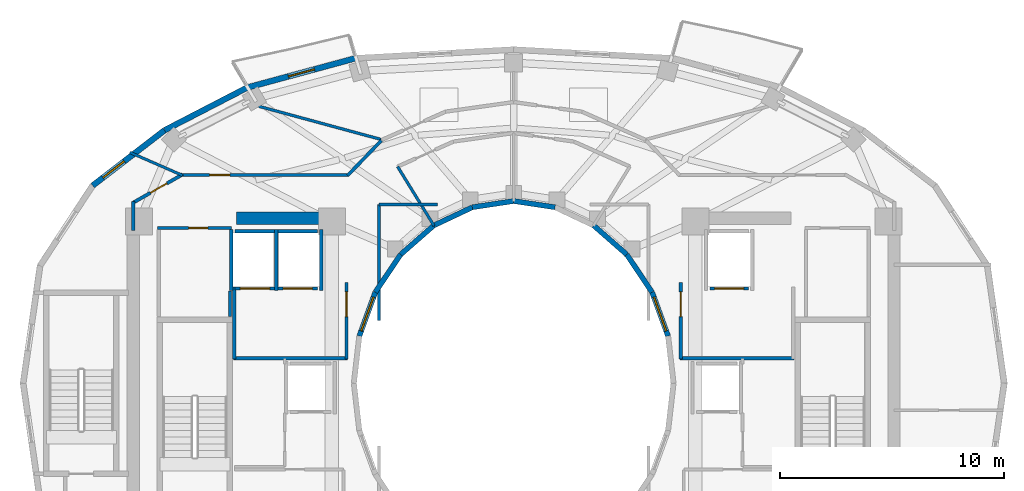
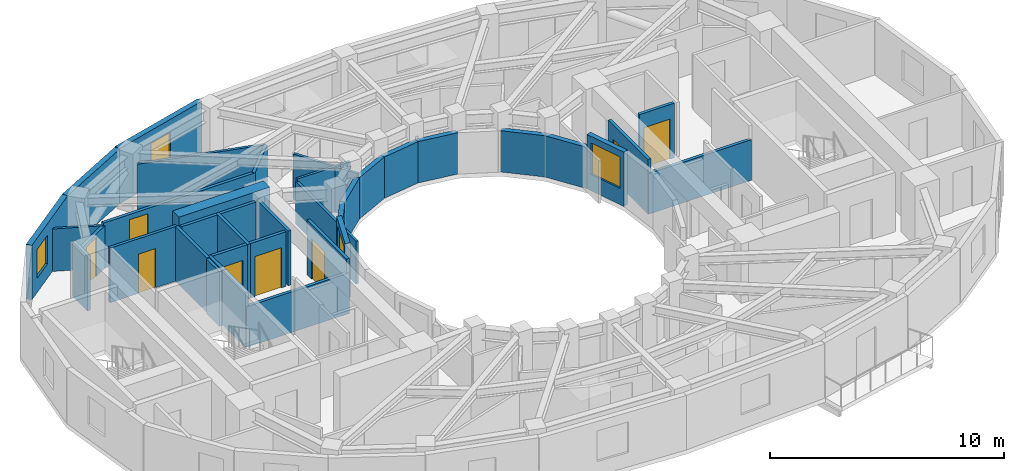
# One storey, part 5 of 10: 37 walls, 9 doors, 3 windows, 12 openings.
"""IFC4 building model written with IfcOpenShell, lengths in metres."""

from ifc_helpers import new_model, si_unit, direction, frame, frame_2d, origin, place, context, subcontext, project, spatial, rectangle, extrude, material, layer, layer_set, type_object, element, fill, save


model = new_model("IFC4")

# Units and contexts
model_context = context("Model", 3, precision=1e-05, world=origin(), true_north=direction((0.0, 1.0)))
body_context = subcontext(model_context, "Body", "Model", "MODEL_VIEW")
ifc_project = project(units=[si_unit("LENGTHUNIT", "METRE"), si_unit("AREAUNIT", "SQUARE_METRE"), si_unit("VOLUMEUNIT", "CUBIC_METRE"), si_unit("PLANEANGLEUNIT", "RADIAN"), si_unit("MASSUNIT", "GRAM", prefix="KILO")], contexts=[model_context])

# Site, building, storey
site_placement = place(None, origin())
site = spatial("IfcSite", under=ifc_project, at=site_placement, CompositionType="ELEMENT")
building_placement = place(site_placement, origin())
building = spatial("IfcBuilding", under=site, at=building_placement, Name="Solvane Sanctuary Tower", CompositionType="ELEMENT")
storey_placement = place(building_placement, frame((0.0, 0.0, 204.699951171875)))
storey = spatial("IfcBuildingStorey", under=building, at=storey_placement, Name="L62", CompositionType="ELEMENT", Elevation=204.699951171875)

# Walls
ifc_material_1 = material(Name="Concrete C50/60", Category="concrete")
ifc_layer_1 = layer(ifc_material_1, 0.550048828125, Name="Concrete C50/60")
ifc_layer_set_1 = layer_set([ifc_layer_1], Name="Concrete C50/60")
wall_type_1 = type_object("IfcWallType", Name="Wall W-CORE-550", PredefinedType="SHEAR", material=ifc_layer_set_1)
wall_1_placement = place(storey_placement, frame((19.64990234375, 30.35009765625, 0.0), z_axis=(0.0, 0.0, 1.0), x_axis=(1.0, 0.0, 0.0)))
element("IfcWall", 1, at=wall_1_placement, inside=storey, type_object=wall_type_1, Name="L62 Core Shear Wall WC-N", PredefinedType="SHEAR", context=body_context, shape_type="SweptSolid", body=[
    extrude(rectangle(XDim=4.5, YDim=0.550048828125, at=frame_2d((2.25, 0.0))), origin(), (0.0, 0.0, 1.0), 3.10009765625),
])
ifc_material_2 = material(Name="Acoustic Gypsum Partition Board")
ifc_layer_2 = layer(ifc_material_2, 0.14990234375, Name="Acoustic Gypsum Partition Board")
ifc_layer_set_2 = layer_set([ifc_layer_2], Name="Acoustic Gypsum Partition Board")
wall_type_2 = type_object("IfcWallType", Name="Wall W-CORR-150", PredefinedType="PARTITIONING", material=ifc_layer_set_2)
wall_2_placement = place(storey_placement, frame((19.52001953125, 24.1201171875, 0.0), z_axis=(0.0, 0.0, 1.0), x_axis=(1.0, 0.0, 0.0)))
element("IfcWall", 2, at=wall_2_placement, inside=storey, type_object=wall_type_2, Name="L62 West Firefighting Lobby South Wall", PredefinedType="PARTITIONING", context=body_context, shape_type="SweptSolid", body=[
    extrude(rectangle(XDim=5.080078125, YDim=0.14990234375, at=frame_2d((2.5400390625, 0.0))), origin(), (0.0, 0.0, 1.0), 2.1201171875),
])
wall_3_placement = place(storey_placement, frame((19.550048828125, 24.080078125, 0.0), z_axis=(0.0, 0.0, 1.0), x_axis=(0.0, 1.0, 0.0)))
element("IfcWall", 3, at=wall_3_placement, inside=storey, type_object=wall_type_2, Name="L62 West Firefighting Lobby West Wall", PredefinedType="PARTITIONING", context=body_context, shape_type="SweptSolid", body=[
    extrude(rectangle(XDim=3.199951171875, YDim=0.14990234375, at=frame_2d((1.60009765625, 0.0))), origin(), (0.0, 0.0, 1.0), 2.85498046875),
])

# Wall, opening, door
wall_4_placement = place(storey_placement, frame((24.550048828125, 24.080078125, 0.0), z_axis=(0.0, 0.0, 1.0), x_axis=(0.0, 1.0, 0.0)))
wall_4 = element("IfcWall", 4, at=wall_4_placement, inside=storey, type_object=wall_type_2, Name="L62 West Firefighting Lobby East Wall", PredefinedType="PARTITIONING", context=body_context, shape_type="SweptSolid", body=[
    extrude(rectangle(XDim=3.39990234375, YDim=0.14990234375, at=frame_2d((1.699951171875, 0.0))), origin(), (0.0, 0.0, 1.0), 2.85498046875),
])
opening_1_placement = place(wall_4_placement, frame((1.893798828125, 0.0, 0.0)))
opening_1 = element("IfcOpeningElement", 5, at=opening_1_placement, cuts=wall_4, Name="Opening D-L62-08", PredefinedType="OPENING", context=body_context, shape_type="SweptSolid", body=[
    extrude(rectangle(XDim=1.10009765625, YDim=2.10009765625, at=frame_2d((0.550048828125, 1.050048828125))), frame((0.0, 0.0849609375, 0.0), z_axis=(0.0, -1.0, 0.0), x_axis=(1.0, 0.0, 0.0)), (0.0, 0.0, 1.0), 0.169921875),
])
ifc_material_3 = material(Name="Architectural Stainless Steel 316", Category="steel")
door_type_1 = type_object("IfcDoorType", Name="Door D-FFL", OperationType="NOTDEFINED", PredefinedType="DOOR", material=ifc_material_3)
door_1_placement = place(opening_1_placement, origin())
door_1 = element("IfcDoor", 6, at=door_1_placement, inside=storey, type_object=door_type_1, Name="L62 West Firefighting Lobby Fire Door", OperationType="SINGLE_SWING_LEFT", OverallHeight=2.10009765625, OverallWidth=1.10009765625, PredefinedType="DOOR", context=body_context, shape_type="SweptSolid", body=[
    extrude(rectangle(XDim=1.10009765625, YDim=2.10009765625, at=frame_2d((0.550048828125, 1.050048828125))), frame((0.0, 0.02490234375, 0.0), z_axis=(0.0, -1.0, 0.0), x_axis=(1.0, 0.0, 0.0)), (0.0, 0.0, 1.0), 0.050048828125),
])
fill(opening_1, door_1)

# Wall
wall_5_placement = place(storey_placement, frame((39.39990234375, 24.1201171875, 0.0), z_axis=(0.0, 0.0, 1.0), x_axis=(1.0, 0.0, 0.0)))
element("IfcWall", 7, at=wall_5_placement, inside=storey, type_object=wall_type_2, Name="L62 East Firefighting Lobby South Wall", PredefinedType="PARTITIONING", context=body_context, shape_type="SweptSolid", body=[
    extrude(rectangle(XDim=5.080078125, YDim=0.14990234375, at=frame_2d((2.5400390625, 0.0))), origin(), (0.0, 0.0, 1.0), 2.1201171875),
])

# Wall, opening, door
wall_6_placement = place(storey_placement, frame((39.449951171875, 24.080078125, 0.0), z_axis=(0.0, 0.0, 1.0), x_axis=(0.0, 1.0, 0.0)))
wall_6 = element("IfcWall", 8, at=wall_6_placement, inside=storey, type_object=wall_type_2, Name="L62 East Firefighting Lobby West Wall", PredefinedType="PARTITIONING", context=body_context, shape_type="SweptSolid", body=[
    extrude(rectangle(XDim=3.39990234375, YDim=0.14990234375, at=frame_2d((1.699951171875, 0.0))), origin(), (0.0, 0.0, 1.0), 2.85498046875),
])
opening_2_placement = place(wall_6_placement, frame((1.893798828125, 0.0, 0.0)))
opening_2 = element("IfcOpeningElement", 9, at=opening_2_placement, cuts=wall_6, Name="Opening D-L62-09", PredefinedType="OPENING", context=body_context, shape_type="SweptSolid", body=[
    extrude(rectangle(XDim=1.10009765625, YDim=2.10009765625, at=frame_2d((0.550048828125, 1.050048828125))), frame((0.0, 0.0849609375, 0.0), z_axis=(0.0, -1.0, 0.0), x_axis=(1.0, 0.0, 0.0)), (0.0, 0.0, 1.0), 0.169921875),
])
door_2_placement = place(opening_2_placement, origin())
door_2 = element("IfcDoor", 10, at=door_2_placement, inside=storey, type_object=door_type_1, Name="L62 East Firefighting Lobby Fire Door", OperationType="SINGLE_SWING_RIGHT", OverallHeight=2.10009765625, OverallWidth=1.10009765625, PredefinedType="DOOR", context=body_context, shape_type="SweptSolid", body=[
    extrude(rectangle(XDim=1.10009765625, YDim=2.10009765625, at=frame_2d((0.550048828125, 1.050048828125))), frame((0.0, 0.02490234375, 0.0), z_axis=(0.0, -1.0, 0.0), x_axis=(1.0, 0.0, 0.0)), (0.0, 0.0, 1.0), 0.050048828125),
])
fill(opening_2, door_2)

# Walls
wall_7_placement = place(storey_placement, frame((15.050048828125, 29.800048828125, 0.0), z_axis=(0.0, 0.0, 1.0), x_axis=(0.0, 1.0, 0.0)))
element("IfcWall", 11, at=wall_7_placement, inside=storey, type_object=wall_type_2, Name="L62 NW Corner Closer 2", PredefinedType="PARTITIONING", context=body_context, shape_type="SweptSolid", body=[
    extrude(rectangle(XDim=1.2900390625, YDim=0.14990234375, at=frame_2d((0.64501953125, 0.0))), origin(), (0.0, 0.0, 1.0), 2.85498046875),
])
wall_8_placement = place(storey_placement, frame((26.0966796875, 33.811767578125, 0.0), z_axis=(0.0, 0.0, 1.0), x_axis=(-0.694032962553, -0.719943224768, 0.0)))
element("IfcWall", 12, at=wall_8_placement, inside=storey, type_object=wall_type_2, Name="L62 NW Corner Throat Wall", PredefinedType="PARTITIONING", context=body_context, shape_type="SweptSolid", body=[
    extrude(rectangle(XDim=2.15771484375, YDim=0.14990234375, at=frame_2d((1.078857421875, 0.0))), origin(), (0.0, 0.0, 1.0), 2.3759765625),
])

# Wall, opening, door
wall_9_placement = place(storey_placement, frame((17.14990234375, 32.280029296875, 0.0), z_axis=(0.0, 0.0, 1.0), x_axis=(1.0, 0.0, 0.0)))
wall_9 = element("IfcWall", 13, at=wall_9_placement, inside=storey, type_object=wall_type_2, Name="L62 NW Corner Corridor Wall", PredefinedType="PARTITIONING", context=body_context, shape_type="SweptSolid", body=[
    extrude(rectangle(XDim=7.52001953125, YDim=0.14990234375, at=frame_2d((3.760009765625, 0.0))), origin(), (0.0, 0.0, 1.0), 2.3759765625),
])
opening_3_placement = place(wall_9_placement, frame((1.300048828125, 0.0, 0.0)))
opening_3 = element("IfcOpeningElement", 14, at=opening_3_placement, cuts=wall_9, Name="Opening D-L62-23", PredefinedType="OPENING", context=body_context, shape_type="SweptSolid", body=[
    extrude(rectangle(XDim=0.89990234375, YDim=2.10009765625, at=frame_2d((0.449951171875, 1.050048828125))), frame((0.0, 0.0849609375, 0.0), z_axis=(0.0, -1.0, 0.0), x_axis=(1.0, 0.0, 0.0)), (0.0, 0.0, 1.0), 0.169921875),
])
ifc_material_4 = material(Name="Engineered Tropical Hardwood", Category="wood")
door_type_2 = type_object("IfcDoorType", Name="Door D-WET-900", OperationType="NOTDEFINED", PredefinedType="DOOR", material=ifc_material_4)
door_3_placement = place(opening_3_placement, origin())
door_3 = element("IfcDoor", 15, at=door_3_placement, inside=storey, type_object=door_type_2, Name="L62 NW Corner Salon Door", OperationType="SINGLE_SWING_RIGHT", OverallHeight=2.10009765625, OverallWidth=0.89990234375, PredefinedType="DOOR", context=body_context, shape_type="SweptSolid", body=[
    extrude(rectangle(XDim=0.89990234375, YDim=2.10009765625, at=frame_2d((0.449951171875, 1.050048828125))), frame((0.0, 0.02490234375, 0.0), z_axis=(0.0, -1.0, 0.0), x_axis=(1.0, 0.0, 0.0)), (0.0, 0.0, 1.0), 0.050048828125),
])
fill(opening_3, door_3)

wall_10_placement = place(storey_placement, frame((17.243408203125, 32.3046875, 0.0), z_axis=(0.0, 0.0, 1.0), x_axis=(-0.867991349648, -0.496579315857, 0.0)))
wall_10 = element("IfcWall", 16, at=wall_10_placement, inside=storey, type_object=wall_type_2, Name="L62 NW Corner Wing Wall", PredefinedType="PARTITIONING", context=body_context, shape_type="SweptSolid", body=[
    extrude(rectangle(XDim=2.56689453125, YDim=0.14990234375, at=frame_2d((1.283447265625, 0.0))), origin(), (0.0, 0.0, 1.0), 2.219970703125),
])
opening_4_placement = place(wall_10_placement, frame((0.8017578125, 0.0, 0.0)))
opening_4 = element("IfcOpeningElement", 17, at=opening_4_placement, cuts=wall_10, Name="Opening D-L62-24", PredefinedType="OPENING", context=body_context, shape_type="SweptSolid", body=[
    extrude(rectangle(XDim=0.85009765625, YDim=2.050048828125, at=frame_2d((0.425048828125, 1.02490234375))), frame((0.0, 0.0849609375, 0.0), z_axis=(0.0, -1.0, 0.0), x_axis=(1.0, 0.0, 0.0)), (0.0, 0.0, 1.0), 0.169921875),
])
door_type_3 = type_object("IfcDoorType", Name="Door D-RISER", OperationType="NOTDEFINED", PredefinedType="DOOR", material=ifc_material_3)
door_4_placement = place(opening_4_placement, origin())
door_4 = element("IfcDoor", 18, at=door_4_placement, inside=storey, type_object=door_type_3, Name="L62 NW Corner Suite Door", OperationType="SINGLE_SWING_LEFT", OverallHeight=2.050048828125, OverallWidth=0.85009765625, PredefinedType="DOOR", context=body_context, shape_type="SweptSolid", body=[
    extrude(rectangle(XDim=0.85009765625, YDim=2.050048828125, at=frame_2d((0.425048828125, 1.02490234375))), frame((0.0, 0.02490234375, 0.0), z_axis=(0.0, -1.0, 0.0), x_axis=(1.0, 0.0, 0.0)), (0.0, 0.0, 1.0), 0.050048828125),
])
fill(opening_4, door_4)

ifc_material_5 = material(Name="Precast concrete C40/50", Category="concrete")
ifc_layer_3 = layer(ifc_material_5, 0.260009765625, Name="Precast concrete C40/50")
ifc_layer_set_3 = layer_set([ifc_layer_3], Name="Precast concrete C40/50")
wall_type_3 = type_object("IfcWallType", Name="Wall W-EXT-250", PredefinedType="STANDARD", material=ifc_layer_set_3)
wall_11_placement = place(storey_placement, frame((24.95703125, 37.484619140625, 0.0), z_axis=(0.0, 0.0, 1.0), x_axis=(-0.965213026382, -0.261464746576, 0.0)))
wall_11 = element("IfcWall", 19, at=wall_11_placement, inside=storey, type_object=wall_type_3, Name="L62 Balcony Facade Wall N2", PredefinedType="STANDARD", context=body_context, shape_type="SweptSolid", body=[
    extrude(rectangle(XDim=5.001220703125, YDim=0.260009765625, at=frame_2d((2.50048828125, 0.0))), origin(), (0.0, 0.0, 1.0), 2.880126953125),
])
opening_5_placement = place(wall_11_placement, frame((1.900390625, 0.0, 0.0)))
opening_5 = element("IfcOpeningElement", 20, at=opening_5_placement, cuts=wall_11, Name="Opening D-L62-02", PredefinedType="OPENING", context=body_context, shape_type="SweptSolid", body=[
    extrude(rectangle(XDim=1.199951171875, YDim=2.199951171875, at=frame_2d((0.60009765625, 1.10009765625))), frame((0.0, 0.139892578125, 0.0), z_axis=(0.0, -1.0, 0.0), x_axis=(1.0, 0.0, 0.0)), (0.0, 0.0, 1.0), 0.280029296875),
])
ifc_material_6 = material(Name="Anodised Aluminium 6063-T6", Category="aluminium")
door_type_4 = type_object("IfcDoorType", Name="Door D-BALC-1200", OperationType="NOTDEFINED", PredefinedType="DOOR", material=ifc_material_6)
door_5_placement = place(opening_5_placement, origin())
door_5 = element("IfcDoor", 21, at=door_5_placement, inside=storey, type_object=door_type_4, Name="L62 Glazed Balcony Door N2", OperationType="SINGLE_SWING_LEFT", OverallHeight=2.199951171875, OverallWidth=1.199951171875, PredefinedType="DOOR", context=body_context, shape_type="SweptSolid", body=[
    extrude(rectangle(XDim=1.199951171875, YDim=2.199951171875, at=frame_2d((0.60009765625, 1.10009765625))), frame((0.0, 0.02490234375, 0.0), z_axis=(0.0, -1.0, 0.0), x_axis=(1.0, 0.0, 0.0)), (0.0, 0.0, 1.0), 0.050048828125),
])
fill(opening_5, door_5)

# Wall
wall_12_placement = place(storey_placement, frame((20.1298828125, 36.177001953125, 0.0), z_axis=(0.0, 0.0, 1.0), x_axis=(-0.88849146803, -0.458893137057, 0.0)))
element("IfcWall", 22, at=wall_12_placement, inside=storey, type_object=wall_type_3, Name="L62 Ceramic-Printed Facade Wall 08", PredefinedType="STANDARD", context=body_context, shape_type="SweptSolid", body=[
    extrude(rectangle(XDim=4.150390625, YDim=0.260009765625, at=frame_2d((2.0751953125, 0.0))), origin(), (0.0, 0.0, 1.0), 2.85009765625),
])

# Wall, opening, window
wall_13_placement = place(storey_placement, frame((16.4423828125, 34.2724609375, 0.0), z_axis=(0.0, 0.0, 1.0), x_axis=(-0.792713817907, -0.609593965603, 0.0)))
wall_13 = element("IfcWall", 23, at=wall_13_placement, inside=storey, type_object=wall_type_3, Name="L62 Ceramic-Printed Facade Wall 09", PredefinedType="STANDARD", context=body_context, shape_type="SweptSolid", body=[
    extrude(rectangle(XDim=4.041015625, YDim=0.260009765625, at=frame_2d((2.0205078125, 0.0))), origin(), (0.0, 0.0, 1.0), 2.85009765625),
])
opening_6_placement = place(wall_13_placement, frame((2.26416015625, 0.0, 0.75)))
opening_6 = element("IfcOpeningElement", 24, at=opening_6_placement, cuts=wall_13, Name="Opening WN-OPER-1200", PredefinedType="OPENING", context=body_context, shape_type="SweptSolid", body=[
    extrude(rectangle(XDim=1.199951171875, YDim=1.5, at=frame_2d((0.60009765625, 0.75))), frame((0.0, 0.139892578125, 0.0), z_axis=(0.0, -1.0, 0.0), x_axis=(1.0, 0.0, 0.0)), (0.0, 0.0, 1.0), 0.280029296875),
])
ifc_material_7 = material(Name="Dark Ceramic-Fritted Low-E Glass", Category="glass")
window_type_1 = type_object("IfcWindowType", Name="Window WN-OPER-1200", PartitioningType="SINGLE_PANEL", PredefinedType="WINDOW", material=ifc_material_7)
window_1_placement = place(opening_6_placement, origin())
window_1 = element("IfcWindow", 25, at=window_1_placement, inside=storey, type_object=window_type_1, Name="L62 Operable Facade Window 09", OverallHeight=1.5, OverallWidth=1.199951171875, PartitioningType="SINGLE_PANEL", PredefinedType="WINDOW", context=body_context, shape_type="SweptSolid", body=[
    extrude(rectangle(XDim=1.199951171875, YDim=1.5, at=frame_2d((0.60009765625, 0.75))), frame((0.0, 0.030029296875, 0.0), z_axis=(0.0, -1.0, 0.0), x_axis=(1.0, 0.0, 0.0)), (0.0, 0.0, 1.0), 0.06005859375),
])
fill(opening_6, window_1)

ifc_layer_4 = layer(ifc_material_5, 0.22998046875, Name="Precast concrete C40/50")
ifc_layer_set_4 = layer_set([ifc_layer_4], Name="Precast concrete C40/50")
wall_type_4 = type_object("IfcWallType", Name="Wall W-EXT-SP220", PredefinedType="STANDARD", material=ifc_layer_set_4)
wall_14_placement = place(storey_placement, frame((38.87744140625, 25.1015625, 0.0), z_axis=(0.0, 0.0, 1.0), x_axis=(-0.341423187295, 0.93990968033, 0.0)))
wall_14 = element("IfcWall", 26, at=wall_14_placement, inside=storey, type_object=wall_type_4, Name="L62 Central Light-Well Wall 01", PredefinedType="STANDARD", context=body_context, shape_type="SweptSolid", body=[
    extrude(rectangle(XDim=2.083740234375, YDim=0.22998046875, at=frame_2d((1.0419921875, 0.0))), origin(), (0.0, 0.0, 1.0), 2.840087890625),
])
opening_7_placement = place(wall_14_placement, frame((0.24169921875, 0.0, 0.85009765625)))
opening_7 = element("IfcOpeningElement", 27, at=opening_7_placement, cuts=wall_14, Name="Opening WN-WELL-1600", PredefinedType="OPENING", context=body_context, shape_type="SweptSolid", body=[
    extrude(rectangle(XDim=1.60009765625, YDim=1.64990234375, at=frame_2d((0.800048828125, 0.824951171875))), frame((0.0, 0.125, 0.0), z_axis=(0.0, -1.0, 0.0), x_axis=(1.0, 0.0, 0.0)), (0.0, 0.0, 1.0), 0.25),
])
ifc_material_8 = material(Name="Clear Laminated Light-Well Glass", Category="glass")
window_type_2 = type_object("IfcWindowType", Name="Window WN-WELL-1600", PartitioningType="SINGLE_PANEL", PredefinedType="WINDOW", material=ifc_material_8)
window_2_placement = place(opening_7_placement, origin())
window_2 = element("IfcWindow", 28, at=window_2_placement, inside=storey, type_object=window_type_2, Name="L62 Light-Well Daylight Window 01", OverallHeight=1.64990234375, OverallWidth=1.60009765625, PartitioningType="SINGLE_PANEL", PredefinedType="WINDOW", context=body_context, shape_type="SweptSolid", body=[
    extrude(rectangle(XDim=1.60009765625, YDim=1.64990234375, at=frame_2d((0.800048828125, 0.824951171875))), frame((0.0, 0.030029296875, 0.0), z_axis=(0.0, -1.0, 0.0), x_axis=(1.0, 0.0, 0.0)), (0.0, 0.0, 1.0), 0.06005859375),
])
fill(opening_7, window_2)

# Walls
wall_15_placement = place(storey_placement, frame((38.166015625, 27.06005859375, 0.0), z_axis=(0.0, 0.0, 1.0), x_axis=(-0.558197800898, 0.829707909492, 0.0)))
element("IfcWall", 29, at=wall_15_placement, inside=storey, type_object=wall_type_4, Name="L62 Central Light-Well Wall 02", PredefinedType="STANDARD", context=body_context, shape_type="SweptSolid", body=[
    extrude(rectangle(XDim=2.02685546875, YDim=0.22998046875, at=frame_2d((1.013427734375, 0.0))), origin(), (0.0, 0.0, 1.0), 2.16015625),
])
wall_16_placement = place(storey_placement, frame((37.03466796875, 28.74169921875, 0.0), z_axis=(0.0, 0.0, 1.0), x_axis=(-0.752576694707, 0.658504607869, 0.0)))
element("IfcWall", 30, at=wall_16_placement, inside=storey, type_object=wall_type_4, Name="L62 Central Light-Well Wall 03", PredefinedType="STANDARD", context=body_context, shape_type="SweptSolid", body=[
    extrude(rectangle(XDim=1.95947265625, YDim=0.22998046875, at=frame_2d((0.979736328125, 0.0))), origin(), (0.0, 0.0, 1.0), 2.16015625),
])
for number, where, z_axis, x_axis, name in (
    (31, (33.8427734375, 30.84326171875, 0.0), (0.0, 0.0, 1.0), (-0.988901730308, 0.148571086668, 0.0), "L62 Central Light-Well Wall 05"),
    (32, (32.0, 31.1201171875, 0.0), (0.0, 0.0, 1.0), (-0.988901730308, -0.148571086668, 0.0), "L62 Central Light-Well Wall 06"),
):
    element("IfcWall", number, at=place(storey_placement, frame(where, z_axis=z_axis, x_axis=x_axis)), inside=storey, type_object=wall_type_4, Name=name, PredefinedType="STANDARD", context=body_context, shape_type="SweptSolid", body=[
        extrude(rectangle(XDim=1.863525390625, YDim=0.22998046875, at=frame_2d((0.931640625, 0.0))), origin(), (0.0, 0.0, 1.0), 2.16015625),
    ])
wall_17_placement = place(storey_placement, frame((30.1572265625, 30.84326171875, 0.0), z_axis=(0.0, 0.0, 1.0), x_axis=(-0.904179699603, -0.427152280606, 0.0)))
element("IfcWall", 33, at=wall_17_placement, inside=storey, type_object=wall_type_4, Name="L62 Central Light-Well Wall 07", PredefinedType="STANDARD", context=body_context, shape_type="SweptSolid", body=[
    extrude(rectangle(XDim=1.899169921875, YDim=0.22998046875, at=frame_2d((0.94970703125, 0.0))), origin(), (0.0, 0.0, 1.0), 2.16015625),
])
wall_18_placement = place(storey_placement, frame((28.43994140625, 30.031982421875, 0.0), z_axis=(0.0, 0.0, 1.0), x_axis=(-0.752576694707, -0.658504607869, 0.0)))
element("IfcWall", 34, at=wall_18_placement, inside=storey, type_object=wall_type_4, Name="L62 Central Light-Well Wall 08", PredefinedType="STANDARD", context=body_context, shape_type="SweptSolid", body=[
    extrude(rectangle(XDim=1.95947265625, YDim=0.22998046875, at=frame_2d((0.979736328125, 0.0))), origin(), (0.0, 0.0, 1.0), 2.16015625),
])
wall_19_placement = place(storey_placement, frame((26.96533203125, 28.74169921875, 0.0), z_axis=(0.0, 0.0, 1.0), x_axis=(-0.558197800898, -0.829707909492, 0.0)))
element("IfcWall", 35, at=wall_19_placement, inside=storey, type_object=wall_type_4, Name="L62 Central Light-Well Wall 09", PredefinedType="STANDARD", context=body_context, shape_type="SweptSolid", body=[
    extrude(rectangle(XDim=2.02685546875, YDim=0.22998046875, at=frame_2d((1.013427734375, 0.0))), origin(), (0.0, 0.0, 1.0), 2.16015625),
])

# Wall, opening, window
wall_20_placement = place(storey_placement, frame((25.833984375, 27.06005859375, 0.0), z_axis=(0.0, 0.0, 1.0), x_axis=(-0.341423187295, -0.93990968033, 0.0)))
wall_20 = element("IfcWall", 36, at=wall_20_placement, inside=storey, type_object=wall_type_4, Name="L62 Central Light-Well Wall 10", PredefinedType="STANDARD", context=body_context, shape_type="SweptSolid", body=[
    extrude(rectangle(XDim=2.083740234375, YDim=0.22998046875, at=frame_2d((1.0419921875, 0.0))), origin(), (0.0, 0.0, 1.0), 2.840087890625),
])
opening_8_placement = place(wall_20_placement, frame((0.24169921875, 0.0, 0.85009765625)))
opening_8 = element("IfcOpeningElement", 37, at=opening_8_placement, cuts=wall_20, Name="Opening WN-WELL-1600", PredefinedType="OPENING", context=body_context, shape_type="SweptSolid", body=[
    extrude(rectangle(XDim=1.60009765625, YDim=1.64990234375, at=frame_2d((0.800048828125, 0.824951171875))), frame((0.0, 0.125, 0.0), z_axis=(0.0, -1.0, 0.0), x_axis=(1.0, 0.0, 0.0)), (0.0, 0.0, 1.0), 0.25),
])
window_3_placement = place(opening_8_placement, origin())
window_3 = element("IfcWindow", 38, at=window_3_placement, inside=storey, type_object=window_type_2, Name="L62 Light-Well Daylight Window 10", OverallHeight=1.64990234375, OverallWidth=1.60009765625, PartitioningType="SINGLE_PANEL", PredefinedType="WINDOW", context=body_context, shape_type="SweptSolid", body=[
    extrude(rectangle(XDim=1.60009765625, YDim=1.64990234375, at=frame_2d((0.800048828125, 0.824951171875))), frame((0.0, 0.030029296875, 0.0), z_axis=(0.0, -1.0, 0.0), x_axis=(1.0, 0.0, 0.0)), (0.0, 0.0, 1.0), 0.06005859375),
])
fill(opening_8, window_3)

# Walls
ifc_layer_5 = layer(ifc_material_2, 0.1201171875, Name="Acoustic Gypsum Partition Board")
ifc_layer_set_5 = layer_set([ifc_layer_5], Name="Acoustic Gypsum Partition Board")
wall_type_5 = type_object("IfcWallType", Name="Wall W-MOV-100", PredefinedType="MOVABLE", material=ifc_layer_set_5)
wall_21_placement = place(storey_placement, frame((17.245849609375, 32.260009765625, 0.0), z_axis=(0.0, 0.0, 1.0), x_axis=(-0.916294929952, 0.400504183928, 0.0)))
element("IfcWall", 39, at=wall_21_placement, inside=storey, type_object=wall_type_5, Name="L62 NW Corner Suite Partition", PredefinedType="MOVABLE", context=body_context, shape_type="SweptSolid", body=[
    extrude(rectangle(XDim=2.564453125, YDim=0.1201171875, at=frame_2d((1.2822265625, 0.0))), origin(), (0.0, 0.0, 1.0), 2.219970703125),
])
ifc_layer_6 = layer(ifc_material_2, 0.125, Name="Acoustic Gypsum Partition Board")
ifc_layer_set_6 = layer_set([ifc_layer_6], Name="Acoustic Gypsum Partition Board")
wall_type_6 = type_object("IfcWallType", Name="Wall W-PART-125", PredefinedType="PARTITIONING", material=ifc_layer_set_6)
wall_22_placement = place(storey_placement, frame((28.449951171875, 30.014892578125, 0.0), z_axis=(0.0, 0.0, 1.0), x_axis=(-0.523992004803, 0.851723182086, 0.0)))
element("IfcWall", 40, at=wall_22_placement, inside=storey, type_object=wall_type_6, Name="L62 Light-Well Alcove Radial Wall 120", PredefinedType="PARTITIONING", context=body_context, shape_type="SweptSolid", body=[
    extrude(rectangle(XDim=3.10107421875, YDim=0.125, at=frame_2d((1.550537109375, 0.0))), origin(), (0.0, 0.0, 1.0), 2.3759765625),
])
wall_23_placement = place(storey_placement, frame((26.0, 25.800048828125, 0.0), z_axis=(0.0, 0.0, 1.0), x_axis=(0.0, 1.0, 0.0)))
element("IfcWall", 41, at=wall_23_placement, inside=storey, type_object=wall_type_6, Name="L62 Bridge Alcove Wall 1", PredefinedType="PARTITIONING", context=body_context, shape_type="SweptSolid", body=[
    extrude(rectangle(XDim=5.159912109375, YDim=0.125, at=frame_2d((2.580078125, 0.0))), origin(), (0.0, 0.0, 1.0), 2.23193359375),
])
wall_24_placement = place(storey_placement, frame((26.0, 30.9599609375, 0.0), z_axis=(0.0, 0.0, 1.0), x_axis=(1.0, 0.0, 0.0)))
element("IfcWall", 42, at=wall_24_placement, inside=storey, type_object=wall_type_6, Name="L62 Bridge Alcove Wall 2", PredefinedType="PARTITIONING", context=body_context, shape_type="SweptSolid", body=[
    extrude(rectangle(XDim=2.60009765625, YDim=0.125, at=frame_2d((1.300048828125, 0.0))), origin(), (0.0, 0.0, 1.0), 2.3759765625),
])
wall_25_placement = place(storey_placement, frame((26.081787109375, 33.86572265625, 0.0), z_axis=(0.0, 0.0, 1.0), x_axis=(-0.965109390289, 0.261847025523, 0.0)))
element("IfcWall", 43, at=wall_25_placement, inside=storey, type_object=wall_type_6, Name="L62 Radial Compartment Wall 120", PredefinedType="PARTITIONING", context=body_context, shape_type="SweptSolid", body=[
    extrude(rectangle(XDim=5.643798828125, YDim=0.125, at=frame_2d((2.82177734375, 0.0))), origin(), (0.0, 0.0, 1.0), 2.3759765625),
])

# Wall, opening, door
ifc_layer_7 = layer(ifc_material_1, 0.14990234375, Name="Concrete C50/60")
ifc_layer_set_7 = layer_set([ifc_layer_7], Name="Concrete C50/60")
wall_type_7 = type_object("IfcWallType", Name="Wall W-SHAFT-150", PredefinedType="SOLIDWALL", material=ifc_layer_set_7)
wall_26_placement = place(storey_placement, frame((19.590087890625, 27.219970703125, 0.0), z_axis=(0.0, 0.0, 1.0), x_axis=(1.0, 0.0, 0.0)))
wall_26 = element("IfcWall", 44, at=wall_26_placement, inside=storey, type_object=wall_type_7, Name="L62 FFL-1 Lift Shaft Wall F", PredefinedType="SOLIDWALL", context=body_context, shape_type="SweptSolid", body=[
    extrude(rectangle(XDim=1.760009765625, YDim=0.14990234375, at=frame_2d((0.8798828125, 0.0))), origin(), (0.0, 0.0, 1.0), 2.85498046875),
])
opening_9_placement = place(wall_26_placement, frame((0.22998046875, 0.0, 0.0)))
opening_9 = element("IfcOpeningElement", 45, at=opening_9_placement, cuts=wall_26, Name="Opening LD-L62-03", PredefinedType="OPENING", context=body_context, shape_type="SweptSolid", body=[
    extrude(rectangle(XDim=1.300048828125, YDim=2.10009765625, at=frame_2d((0.64990234375, 1.050048828125))), frame((0.0, 0.0849609375, 0.0), z_axis=(0.0, -1.0, 0.0), x_axis=(1.0, 0.0, 0.0)), (0.0, 0.0, 1.0), 0.169921875),
])
door_type_5 = type_object("IfcDoorType", Name="Door LD-FFL-1300", OperationType="NOTDEFINED", PredefinedType="DOOR", material=ifc_material_3)
door_6_placement = place(opening_9_placement, origin())
door_6 = element("IfcDoor", 46, at=door_6_placement, inside=storey, type_object=door_type_5, Name="L62 FFL-1 Lift Landing Door", OperationType="DOUBLE_DOOR_SLIDING", OverallHeight=2.10009765625, OverallWidth=1.300048828125, PredefinedType="DOOR", context=body_context, shape_type="SweptSolid", body=[
    extrude(rectangle(XDim=1.300048828125, YDim=2.10009765625, at=frame_2d((0.64990234375, 1.050048828125))), frame((0.0, 0.02490234375, 0.0), z_axis=(0.0, -1.0, 0.0), x_axis=(1.0, 0.0, 0.0)), (0.0, 0.0, 1.0), 0.050048828125),
])
fill(opening_9, door_6)

# Walls
wall_27_placement = place(storey_placement, frame((19.590087890625, 29.780029296875, 0.0), z_axis=(0.0, 0.0, 1.0), x_axis=(1.0, 0.0, 0.0)))
element("IfcWall", 47, at=wall_27_placement, inside=storey, type_object=wall_type_7, Name="L62 FFL-1 Lift Shaft Wall B", PredefinedType="SOLIDWALL", context=body_context, shape_type="SweptSolid", body=[
    extrude(rectangle(XDim=1.760009765625, YDim=0.14990234375, at=frame_2d((0.8798828125, 0.0))), origin(), (0.0, 0.0, 1.0), 2.85498046875),
])
for number, where, z_axis, x_axis, name in (
    (48, (19.419921875, 27.139892578125, 0.0), (0.0, 0.0, 1.0), (0.0, 1.0, 0.0), "L62 FFL-1 Lift Shaft Wall S1"),
    (49, (21.425048828125, 27.139892578125, 0.0), (0.0, 0.0, 1.0), (0.0, 1.0, 0.0), "L62 FFL-1 Lift Shaft Wall S2"),
):
    element("IfcWall", number, at=place(storey_placement, frame(where, z_axis=z_axis, x_axis=x_axis)), inside=storey, type_object=wall_type_7, Name=name, PredefinedType="SOLIDWALL", context=body_context, shape_type="SweptSolid", body=[
        extrude(rectangle(XDim=2.72021484375, YDim=0.14990234375, at=frame_2d((1.360107421875, 0.0))), origin(), (0.0, 0.0, 1.0), 2.85498046875),
    ])

# Wall, opening, door
wall_28_placement = place(storey_placement, frame((21.5, 27.219970703125, 0.0), z_axis=(0.0, 0.0, 1.0), x_axis=(1.0, 0.0, 0.0)))
wall_28 = element("IfcWall", 50, at=wall_28_placement, inside=storey, type_object=wall_type_7, Name="L62 SVL-1 Lift Shaft Wall F", PredefinedType="SOLIDWALL", context=body_context, shape_type="SweptSolid", body=[
    extrude(rectangle(XDim=1.760009765625, YDim=0.14990234375, at=frame_2d((0.8798828125, 0.0))), origin(), (0.0, 0.0, 1.0), 2.85498046875),
])
opening_10_placement = place(wall_28_placement, frame((0.22998046875, 0.0, 0.0)))
opening_10 = element("IfcOpeningElement", 51, at=opening_10_placement, cuts=wall_28, Name="Opening LD-L62-04", PredefinedType="OPENING", context=body_context, shape_type="SweptSolid", body=[
    extrude(rectangle(XDim=1.300048828125, YDim=2.10009765625, at=frame_2d((0.64990234375, 1.050048828125))), frame((0.0, 0.0849609375, 0.0), z_axis=(0.0, -1.0, 0.0), x_axis=(1.0, 0.0, 0.0)), (0.0, 0.0, 1.0), 0.169921875),
])
door_7_placement = place(opening_10_placement, origin())
door_7 = element("IfcDoor", 52, at=door_7_placement, inside=storey, type_object=door_type_5, Name="L62 SVL-1 Lift Landing Door", OperationType="DOUBLE_DOOR_SLIDING", OverallHeight=2.10009765625, OverallWidth=1.300048828125, PredefinedType="DOOR", context=body_context, shape_type="SweptSolid", body=[
    extrude(rectangle(XDim=1.300048828125, YDim=2.10009765625, at=frame_2d((0.64990234375, 1.050048828125))), frame((0.0, 0.02490234375, 0.0), z_axis=(0.0, -1.0, 0.0), x_axis=(1.0, 0.0, 0.0)), (0.0, 0.0, 1.0), 0.050048828125),
])
fill(opening_10, door_7)

# Walls
wall_29_placement = place(storey_placement, frame((21.5, 29.780029296875, 0.0), z_axis=(0.0, 0.0, 1.0), x_axis=(1.0, 0.0, 0.0)))
element("IfcWall", 53, at=wall_29_placement, inside=storey, type_object=wall_type_7, Name="L62 SVL-1 Lift Shaft Wall B", PredefinedType="SOLIDWALL", context=body_context, shape_type="SweptSolid", body=[
    extrude(rectangle(XDim=1.760009765625, YDim=0.14990234375, at=frame_2d((0.8798828125, 0.0))), origin(), (0.0, 0.0, 1.0), 2.85498046875),
])
wall_30_placement = place(storey_placement, frame((23.429931640625, 27.139892578125, 0.0), z_axis=(0.0, 0.0, 1.0), x_axis=(0.0, 1.0, 0.0)))
element("IfcWall", 54, at=wall_30_placement, inside=storey, type_object=wall_type_7, Name="L62 SVL-1 Lift Shaft Wall S2", PredefinedType="SOLIDWALL", context=body_context, shape_type="SweptSolid", body=[
    extrude(rectangle(XDim=2.72021484375, YDim=0.14990234375, at=frame_2d((1.360107421875, 0.0))), origin(), (0.0, 0.0, 1.0), 2.85498046875),
])

# Wall, opening, door
wall_31_placement = place(storey_placement, frame((40.739990234375, 27.219970703125, 0.0), z_axis=(0.0, 0.0, 1.0), x_axis=(1.0, 0.0, 0.0)))
wall_31 = element("IfcWall", 55, at=wall_31_placement, inside=storey, type_object=wall_type_7, Name="L62 FFL-2 Lift Shaft Wall F", PredefinedType="SOLIDWALL", context=body_context, shape_type="SweptSolid", body=[
    extrude(rectangle(XDim=1.719970703125, YDim=0.14990234375, at=frame_2d((0.85986328125, 0.0))), origin(), (0.0, 0.0, 1.0), 2.85498046875),
])
opening_11_placement = place(wall_31_placement, frame((0.2099609375, 0.0, 0.0)))
opening_11 = element("IfcOpeningElement", 56, at=opening_11_placement, cuts=wall_31, Name="Opening LD-L62-05", PredefinedType="OPENING", context=body_context, shape_type="SweptSolid", body=[
    extrude(rectangle(XDim=1.300048828125, YDim=2.10009765625, at=frame_2d((0.64990234375, 1.050048828125))), frame((0.0, 0.0849609375, 0.0), z_axis=(0.0, -1.0, 0.0), x_axis=(1.0, 0.0, 0.0)), (0.0, 0.0, 1.0), 0.169921875),
])
door_8_placement = place(opening_11_placement, origin())
door_8 = element("IfcDoor", 57, at=door_8_placement, inside=storey, type_object=door_type_5, Name="L62 FFL-2 Lift Landing Door", OperationType="DOUBLE_DOOR_SLIDING", OverallHeight=2.10009765625, OverallWidth=1.300048828125, PredefinedType="DOOR", context=body_context, shape_type="SweptSolid", body=[
    extrude(rectangle(XDim=1.300048828125, YDim=2.10009765625, at=frame_2d((0.64990234375, 1.050048828125))), frame((0.0, 0.02490234375, 0.0), z_axis=(0.0, -1.0, 0.0), x_axis=(1.0, 0.0, 0.0)), (0.0, 0.0, 1.0), 0.050048828125),
])
fill(opening_11, door_8)

ifc_layer_8 = layer(ifc_material_2, 0.139892578125, Name="Acoustic Gypsum Partition Board")
ifc_layer_set_8 = layer_set([ifc_layer_8], Name="Acoustic Gypsum Partition Board")
wall_type_8 = type_object("IfcWallType", Name="Wall W-WET-140", PredefinedType="PLUMBINGWALL", material=ifc_layer_set_8)
wall_32_placement = place(storey_placement, frame((16.1201171875, 29.919921875, 0.0), z_axis=(0.0, 0.0, 1.0), x_axis=(1.0, 0.0, 0.0)))
wall_32 = element("IfcWall", 58, at=wall_32_placement, inside=storey, type_object=wall_type_8, Name="L62 Core Service Front Wall KW0", PredefinedType="PLUMBINGWALL", context=body_context, shape_type="SweptSolid", body=[
    extrude(rectangle(XDim=3.2998046875, YDim=0.139892578125, at=frame_2d((1.64990234375, 0.0))), origin(), (0.0, 0.0, 1.0), 2.85498046875),
])
opening_12_placement = place(wall_32_placement, frame((1.3994140625, 0.0, 0.0)))
opening_12 = element("IfcOpeningElement", 59, at=opening_12_placement, cuts=wall_32, Name="Opening D-L62-14", PredefinedType="OPENING", context=body_context, shape_type="SweptSolid", body=[
    extrude(rectangle(XDim=0.85009765625, YDim=2.050048828125, at=frame_2d((0.425048828125, 1.02490234375))), frame((0.0, 0.079833984375, 0.0), z_axis=(0.0, -1.0, 0.0), x_axis=(1.0, 0.0, 0.0)), (0.0, 0.0, 1.0), 0.159912109375),
])
door_9_placement = place(opening_12_placement, origin())
door_9 = element("IfcDoor", 60, at=door_9_placement, inside=storey, type_object=door_type_3, Name="L62 Core Service Room Door KW0-1", OperationType="SINGLE_SWING_LEFT", OverallHeight=2.050048828125, OverallWidth=0.85009765625, PredefinedType="DOOR", context=body_context, shape_type="SweptSolid", body=[
    extrude(rectangle(XDim=0.85009765625, YDim=2.050048828125, at=frame_2d((0.425048828125, 1.02490234375))), frame((0.0, 0.02490234375, 0.0), z_axis=(0.0, -1.0, 0.0), x_axis=(1.0, 0.0, 0.0)), (0.0, 0.0, 1.0), 0.050048828125),
])
fill(opening_12, door_9)

# Wall
wall_33_placement = place(storey_placement, frame((19.360107421875, 25.97998046875, 0.0), z_axis=(0.0, 0.0, 1.0), x_axis=(0.0, 1.0, 0.0)))
element("IfcWall", 61, at=wall_33_placement, inside=storey, type_object=wall_type_8, Name="L62 Core Service Side Wall KW0-2", PredefinedType="PLUMBINGWALL", context=body_context, shape_type="SweptSolid", body=[
    extrude(rectangle(XDim=1.1201171875, YDim=0.139892578125, at=frame_2d((0.56005859375, 0.0))), origin(), (0.0, 0.0, 1.0), 2.85498046875),
])

save(model, "model.ifc")
